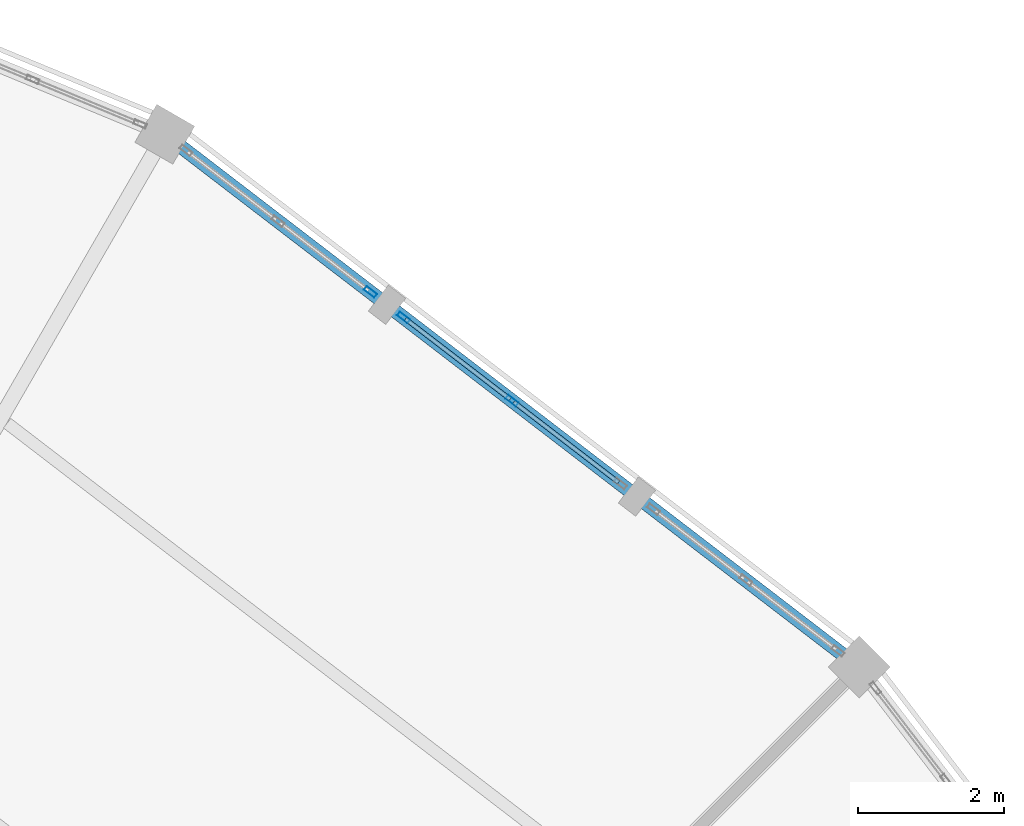
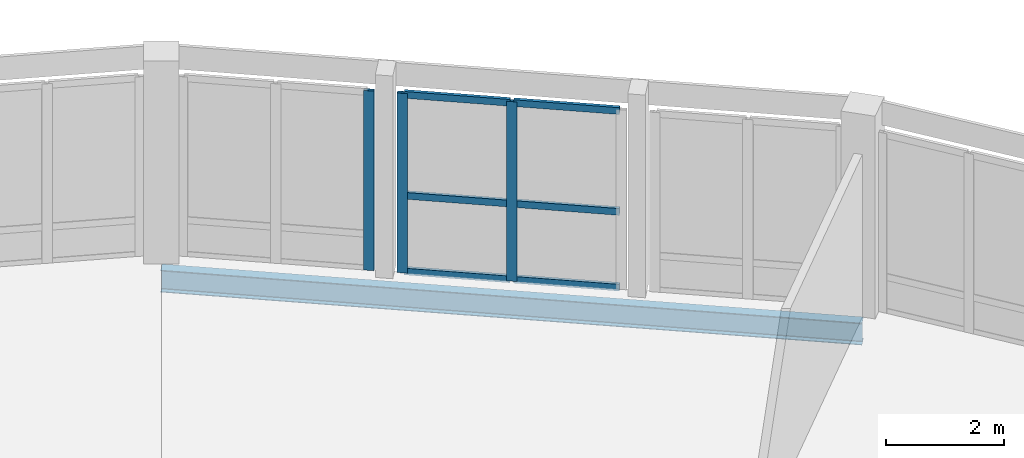
# One storey, part 122 of 170: 9 members, 1 beam, 2 elements without a shape of their own.
"""IFC4 building model written with IfcOpenShell, lengths in metres."""

from ifc_helpers import new_model, si_unit, direction, frame, origin, origin_2d, place, context, subcontext, project, spatial, hollow_rectangle, i_section, extrude, material, material_profile, profile_set, type_object, element, aggregate, save


model = new_model("IFC4")

# Units and contexts
model_context = context("Model", 3, precision=1e-05, world=origin(), true_north=direction((0.0, 1.0)))
body_context = subcontext(model_context, "Body", "Model", "MODEL_VIEW")
ifc_project = project(units=[si_unit("LENGTHUNIT", "METRE"), si_unit("AREAUNIT", "SQUARE_METRE"), si_unit("VOLUMEUNIT", "CUBIC_METRE"), si_unit("PLANEANGLEUNIT", "RADIAN"), si_unit("MASSUNIT", "GRAM", prefix="KILO")], contexts=[model_context])

# Site, building, storey
site_placement = place(None, origin())
site = spatial("IfcSite", under=ifc_project, at=site_placement, CompositionType="ELEMENT")
building_placement = place(site_placement, origin())
building = spatial("IfcBuilding", under=site, at=building_placement, Name="Vondelvale Polytechnic", CompositionType="ELEMENT")
storey_placement = place(building_placement, frame((0.0, 0.0, 5.39990234375)))
storey = spatial("IfcBuildingStorey", under=building, at=storey_placement, Name="L01", CompositionType="ELEMENT", Elevation=5.39990234375)

# Beam
ifc_material_1 = material(Name="Steel 300PLUS (fy = 300 MPa)", Category="steel")
ifc_material_profile_1 = material_profile(ifc_material_1, i_section(OverallWidth=0.18994140625, OverallDepth=0.45703125, WebThickness=0.009033203125, FlangeThickness=0.014404296875, FilletRadius=0.011474609375, at=origin_2d()), Name="460UB74.6")
ifc_profile_set_1 = profile_set([ifc_material_profile_1], Name="Steel 300PLUS (fy = 300 MPa)")
beam_type = type_object("IfcBeamType", Name="BM-UB460", PredefinedType="BEAM", material=ifc_profile_set_1)
beam_placement = place(storey_placement, frame((134.52685546875, 104.52685546875, -0.50830078125), z_axis=(-0.793349743808, 0.608766116008, 0.0), x_axis=(-0.608766116008, -0.793349743808, 0.0)))
element("IfcBeam", 1, at=beam_placement, inside=storey, type_object=beam_type, Name="L01 RB B-13", PredefinedType="BEAM", context=body_context, shape_type="SweptSolid", body=[
    extrude(i_section(OverallWidth=0.18994140625, OverallDepth=0.45703125, WebThickness=0.009033203125, FlangeThickness=0.014404296875, FilletRadius=0.011474609375, at=origin_2d()), origin(), (0.0, 0.0, 1.0), 12.00830078125),
])

# Curtain wall, members
ifc_material_2 = material(Name="Glulam GL18 structural Tasmanian oak (fb = 42 MPa)", Category="wood")
curtain_wall_type = type_object("IfcCurtainWallType", Name="CW-RING-OUTER", PredefinedType="NOTDEFINED", material=ifc_material_2)
curtain_wall_1_placement = place(storey_placement, origin())
curtain_wall_1 = element("IfcCurtainWall", 2, at=curtain_wall_1_placement, inside=storey, type_object=curtain_wall_type, Name="L01 architectural curtain wall CW-04-102", PredefinedType="NOTDEFINED")
ifc_material_3 = material(Name="Anodised extruded aluminium 6063-T6", Category="aluminium")
ifc_material_profile_2 = material_profile(ifc_material_3, hollow_rectangle(XDim=0.06494140625, YDim=0.179931640625, WallThickness=0.00390625, at=origin_2d()), Name="CW-MUL-180x65")
ifc_profile_set_2 = profile_set([ifc_material_profile_2], Name="Anodised extruded aluminium 6063-T6")
member_type_1 = type_object("IfcMemberType", Name="CW-MUL-65x180", PredefinedType="MULLION", material=ifc_profile_set_2)
member_1_placement = place(storey_placement, frame((129.763427734375, 108.18212890625, 0.0), z_axis=(0.0, 0.0, 1.0), x_axis=(-0.608771189063, -0.793345851043, 0.0)))
member_1 = element("IfcMember", 3, at=member_1_placement, type_object=member_type_1, Name="CW-04-102 mullion 2", PredefinedType="MULLION", context=body_context, shape_type="SweptSolid", body=[
    extrude(hollow_rectangle(XDim=0.06494140625, YDim=0.179931640625, WallThickness=0.00390625, at=origin_2d()), origin(), (0.0, 0.0, 1.0), 3.72021484375),
])
member_2_placement = place(storey_placement, frame((128.276611328125, 109.322998046875, 0.0), z_axis=(0.0, 0.0, 1.0), x_axis=(-0.608771189063, -0.793345851043, 0.0)))
member_2 = element("IfcMember", 4, at=member_2_placement, type_object=member_type_1, Name="CW-04-102 mullion 3", PredefinedType="MULLION", context=body_context, shape_type="SweptSolid", body=[
    extrude(hollow_rectangle(XDim=0.06494140625, YDim=0.179931640625, WallThickness=0.00390625, at=origin_2d()), origin(), (0.0, 0.0, 1.0), 3.72021484375),
])

# Curtain wall, member
curtain_wall_2_placement = place(storey_placement, origin())
curtain_wall_2 = element("IfcCurtainWall", 5, at=curtain_wall_2_placement, inside=storey, type_object=curtain_wall_type, Name="L01 architectural curtain wall CW-04-103", PredefinedType="NOTDEFINED")
member_3_placement = place(storey_placement, frame((127.820556640625, 109.6728515625, 0.0), z_axis=(0.0, 0.0, 1.0), x_axis=(-0.608786860133, -0.793333825656, 0.0)))
member_3 = element("IfcMember", 6, at=member_3_placement, type_object=member_type_1, Name="CW-04-103 mullion 1", PredefinedType="MULLION", context=body_context, shape_type="SweptSolid", body=[
    extrude(hollow_rectangle(XDim=0.06494140625, YDim=0.179931640625, WallThickness=0.00390625, at=origin_2d()), origin(), (0.0, 0.0, 1.0), 3.72021484375),
])
aggregate(curtain_wall_2, [member_3])

# Member
ifc_material_profile_3 = material_profile(ifc_material_3, hollow_rectangle(XDim=0.06005859375, YDim=0.139892578125, WallThickness=0.00341796875, at=origin_2d()), Name="CW-TRN-140x60")
ifc_profile_set_3 = profile_set([ifc_material_profile_3], Name="Anodised extruded aluminium 6063-T6")
member_type_2 = type_object("IfcMemberType", Name="CW-TRN-60x140", PredefinedType="USERDEFINED", material=ifc_profile_set_3)
member_4_placement = place(storey_placement, frame((131.224365234375, 107.06103515625, 0.030029296875), z_axis=(-0.793310842007, 0.608816809849, 0.0), x_axis=(-0.608816809849, -0.793310842007, 0.0)))
member_4 = element("IfcMember", 7, at=member_4_placement, type_object=member_type_2, Name="CW-04-102 transom 1.1", ObjectType="TRANSOM", PredefinedType="USERDEFINED", context=body_context, shape_type="SweptSolid", body=[
    extrude(hollow_rectangle(XDim=0.06005859375, YDim=0.139892578125, WallThickness=0.00341796875, at=origin_2d()), origin(), (0.0, 0.0, 1.0), 1.808837890625),
])

member_5_placement = place(storey_placement, frame((131.224365234375, 107.06103515625, 1.60009765625), z_axis=(-0.793310842007, 0.608816809849, 0.0), x_axis=(-0.608816809849, -0.793310842007, 0.0)))
member_5 = element("IfcMember", 8, at=member_5_placement, type_object=member_type_2, Name="CW-04-102 transom 1.2", ObjectType="TRANSOM", PredefinedType="USERDEFINED", context=body_context, shape_type="SweptSolid", body=[
    extrude(hollow_rectangle(XDim=0.06005859375, YDim=0.139892578125, WallThickness=0.00341796875, at=origin_2d()), origin(), (0.0, 0.0, 1.0), 1.808837890625),
])

member_6_placement = place(storey_placement, frame((131.224365234375, 107.06103515625, 3.690185546875), z_axis=(-0.793310842007, 0.608816809849, 0.0), x_axis=(-0.608816809849, -0.793310842007, 0.0)))
member_6 = element("IfcMember", 9, at=member_6_placement, type_object=member_type_2, Name="CW-04-102 transom 1.3", ObjectType="TRANSOM", PredefinedType="USERDEFINED", context=body_context, shape_type="SweptSolid", body=[
    extrude(hollow_rectangle(XDim=0.06005859375, YDim=0.139892578125, WallThickness=0.00341796875, at=origin_2d()), origin(), (0.0, 0.0, 1.0), 1.808837890625),
])

member_7_placement = place(storey_placement, frame((129.737548828125, 108.201904296875, 0.030029296875), z_axis=(-0.793310842007, 0.608816809849, 0.0), x_axis=(-0.608816809849, -0.793310842007, 0.0)))
member_7 = element("IfcMember", 10, at=member_7_placement, type_object=member_type_2, Name="CW-04-102 transom 2.1", ObjectType="TRANSOM", PredefinedType="USERDEFINED", context=body_context, shape_type="SweptSolid", body=[
    extrude(hollow_rectangle(XDim=0.06005859375, YDim=0.139892578125, WallThickness=0.00341796875, at=origin_2d()), origin(), (0.0, 0.0, 1.0), 1.808837890625),
])

member_8_placement = place(storey_placement, frame((129.737548828125, 108.201904296875, 1.60009765625), z_axis=(-0.793310842007, 0.608816809849, 0.0), x_axis=(-0.608816809849, -0.793310842007, 0.0)))
member_8 = element("IfcMember", 11, at=member_8_placement, type_object=member_type_2, Name="CW-04-102 transom 2.2", ObjectType="TRANSOM", PredefinedType="USERDEFINED", context=body_context, shape_type="SweptSolid", body=[
    extrude(hollow_rectangle(XDim=0.06005859375, YDim=0.139892578125, WallThickness=0.00341796875, at=origin_2d()), origin(), (0.0, 0.0, 1.0), 1.808837890625),
])

member_9_placement = place(storey_placement, frame((129.737548828125, 108.201904296875, 3.690185546875), z_axis=(-0.793310842007, 0.608816809849, 0.0), x_axis=(-0.608816809849, -0.793310842007, 0.0)))
member_9 = element("IfcMember", 12, at=member_9_placement, type_object=member_type_2, Name="CW-04-102 transom 2.3", ObjectType="TRANSOM", PredefinedType="USERDEFINED", context=body_context, shape_type="SweptSolid", body=[
    extrude(hollow_rectangle(XDim=0.06005859375, YDim=0.139892578125, WallThickness=0.00341796875, at=origin_2d()), origin(), (0.0, 0.0, 1.0), 1.808837890625),
])

aggregate(curtain_wall_1, [member_1, member_2, member_4, member_5, member_6, member_7, member_8, member_9])

save(model, "model.ifc")
